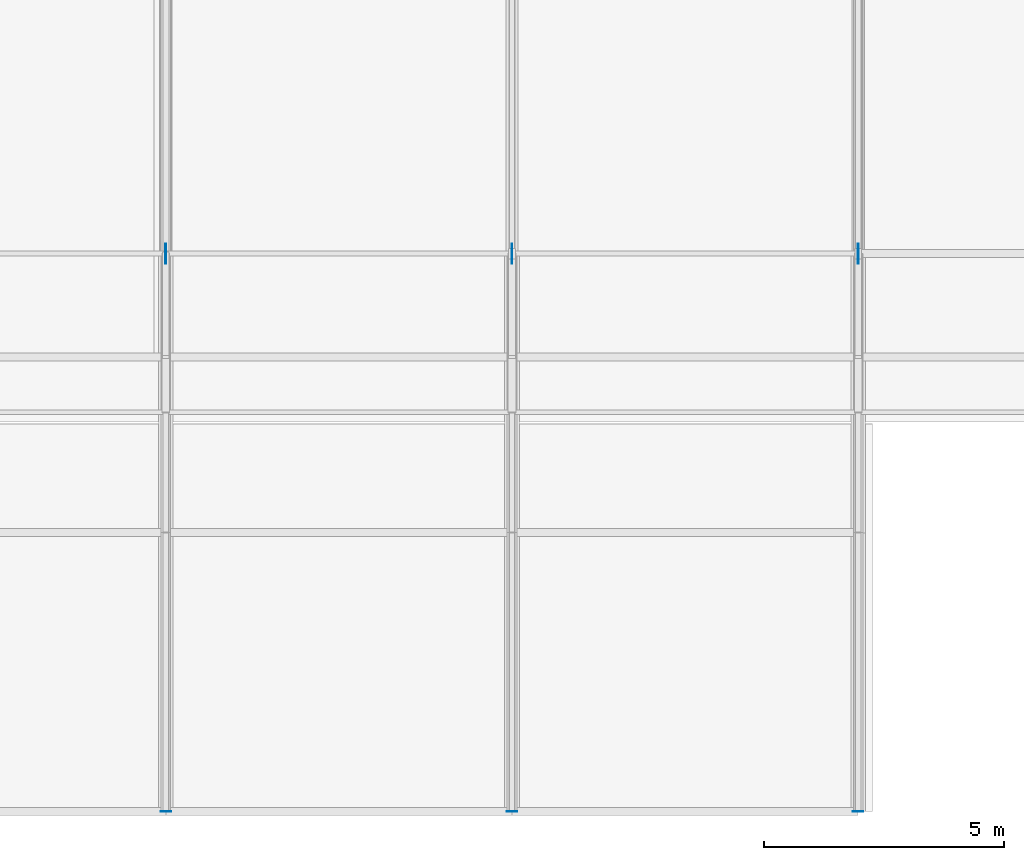
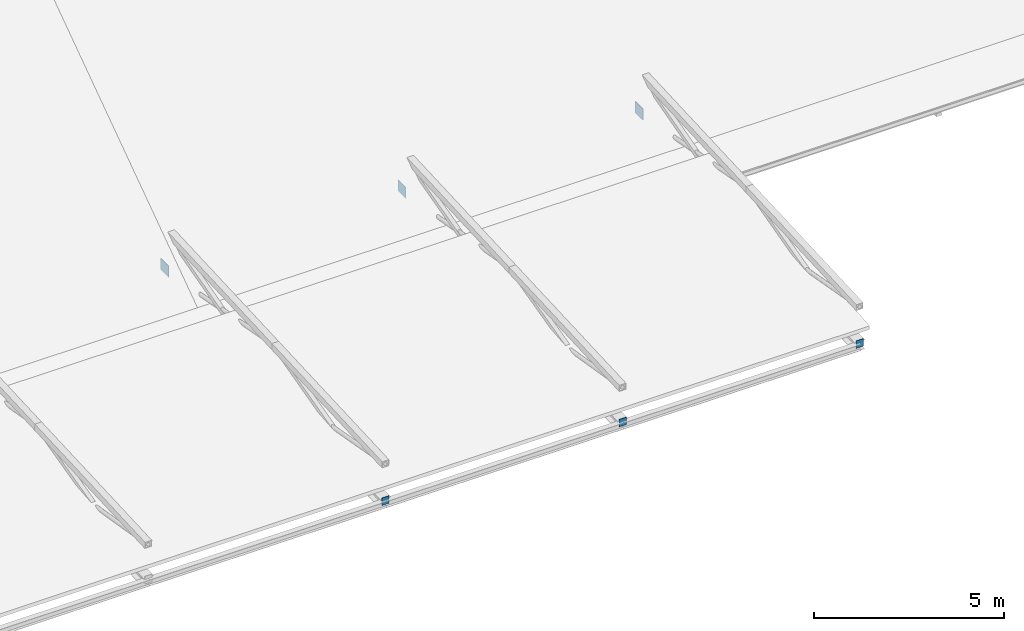
# One storey, part 61 of 100: 6 plates.
"""IFC4 building model written with IfcOpenShell, lengths in metres."""

from ifc_helpers import new_model, si_unit, direction, frame, origin, origin_2d, place, context, subcontext, project, spatial, rectangle, extrude, material, layer, layer_set, type_object, element, save


model = new_model("IFC4")

# Units and contexts
model_context = context("Model", 3, precision=1e-05, world=origin(), true_north=direction((0.0, 1.0)))
body_context = subcontext(model_context, "Body", "Model", "MODEL_VIEW")
ifc_project = project(units=[si_unit("LENGTHUNIT", "METRE"), si_unit("AREAUNIT", "SQUARE_METRE"), si_unit("VOLUMEUNIT", "CUBIC_METRE"), si_unit("PLANEANGLEUNIT", "RADIAN"), si_unit("MASSUNIT", "GRAM", prefix="KILO")], contexts=[model_context])

# Site, building, storey
site_placement = place(None, origin())
site = spatial("IfcSite", under=ifc_project, at=site_placement, CompositionType="ELEMENT")
building_placement = place(site_placement, origin())
building = spatial("IfcBuilding", under=site, at=building_placement, Name="Steenspoor Specialist Clinic", CompositionType="ELEMENT")
storey_placement = place(building_placement, frame((0.0, 0.0, 9.0)))
storey = spatial("IfcBuildingStorey", under=building, at=storey_placement, Name="L02", CompositionType="ELEMENT", Elevation=9.0)

# Plates
ifc_material = material(Name="Steel A572 Grade 50", Category="steel")
ifc_layer_1 = layer(ifc_material, 0.010009765625)
ifc_layer_set_1 = layer_set([ifc_layer_1], Name="Steel A572 Grade 50")
plate_type_1 = type_object("IfcPlateType", Name="PL-CAP-10", PredefinedType="SHEET", material=ifc_layer_set_1)
plate_placement = place(storey_placement, frame((88.39990234375, 13.050048828125, 0.1015625), z_axis=(0.0, 0.0, 1.0), x_axis=(1.0, 0.0, 0.0)))
element("IfcPlate", 1, at=plate_placement, inside=storey, type_object=plate_type_1, Name="Truss Gusset Plate GP-10", PredefinedType="SHEET", context=body_context, shape_type="SweptSolid", body=[
    extrude(rectangle(XDim=0.010009765625, YDim=0.419921875, at=origin_2d()), origin(), (0.0, 0.0, 1.0), 0.360107421875),
])
ifc_layer_2 = layer(ifc_material, 0.011962890625)
ifc_layer_set_2 = layer_set([ifc_layer_2], Name="Steel A572 Grade 50")
plate_type_2 = type_object("IfcPlateType", Name="PL-CAP-12", PredefinedType="SHEET", material=ifc_layer_set_2)
for number, where, z_axis, x_axis, name in (
    (2, (81.199951171875, 1.449951171875, -0.2783203125), (0.0, 0.0, 1.0), (1.0, 0.0, 0.0), "HSS End Cap Plate 17"),
    (3, (88.39990234375, 1.449951171875, -0.2783203125), (0.0, 0.0, 1.0), (1.0, 0.0, 0.0), "HSS End Cap Plate 20"),
    (4, (95.60009765625, 1.449951171875, -0.2783203125), (0.0, 0.0, 1.0), (1.0, 0.0, 0.0), "HSS End Cap Plate 23"),
):
    element("IfcPlate", number, at=place(storey_placement, frame(where, z_axis=z_axis, x_axis=x_axis)), inside=storey, type_object=plate_type_2, Name=name, PredefinedType="SHEET", context=body_context, shape_type="SweptSolid", body=[
        extrude(rectangle(XDim=0.219970703125, YDim=0.011962890625, at=origin_2d()), origin(), (0.0, 0.0, 1.0), 0.239990234375),
    ])
ifc_layer_3 = layer(ifc_material, 0.02001953125)
ifc_layer_set_3 = layer_set([ifc_layer_3], Name="Steel A572 Grade 50")
plate_type_3 = type_object("IfcPlateType", Name="PL-SPL-20", PredefinedType="SHEET", material=ifc_layer_set_3)
for number, where, z_axis, x_axis, name in (
    (5, (81.199951171875, 13.050048828125, 0.1015625), (0.0, 0.0, 1.0), (1.0, 0.0, 0.0), "Truss Gusset Plate GP-20"),
    (6, (95.60009765625, 13.050048828125, 0.1015625), (0.0, 0.0, 1.0), (1.0, 0.0, 0.0), "Truss Gusset Plate GP-20"),
):
    element("IfcPlate", number, at=place(storey_placement, frame(where, z_axis=z_axis, x_axis=x_axis)), inside=storey, type_object=plate_type_3, Name=name, PredefinedType="SHEET", context=body_context, shape_type="SweptSolid", body=[
        extrude(rectangle(XDim=0.02001953125, YDim=0.419921875, at=origin_2d()), origin(), (0.0, 0.0, 1.0), 0.360107421875),
    ])

save(model, "model.ifc")
